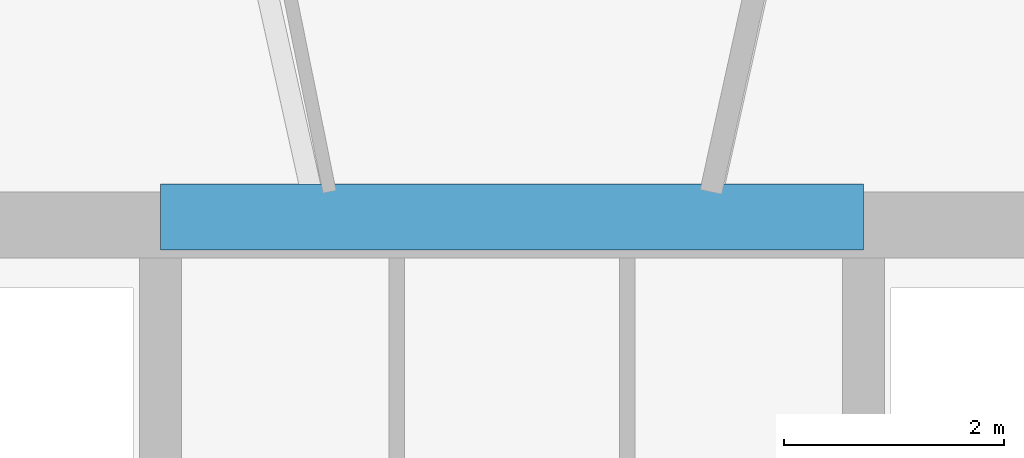
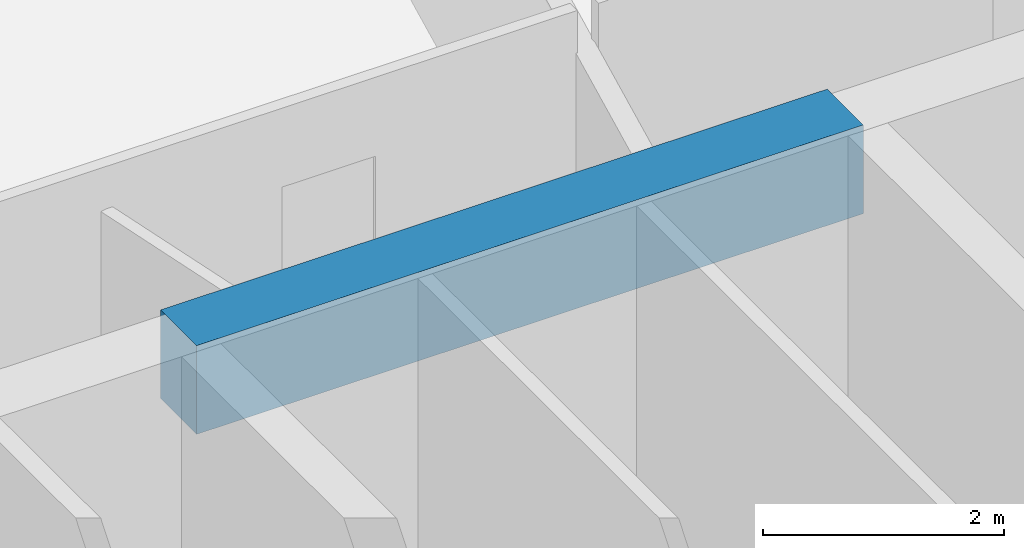
# One storey, part 9 of 26: 1 beam.
"""IFC4 building model written with IfcOpenShell, lengths in metres."""

from ifc_helpers import new_model, si_unit, direction, frame, origin, origin_2d, place, context, subcontext, project, spatial, rectangle, extrude, material, material_profile, profile_set, type_object, element, save


model = new_model("IFC4")

# Units and contexts
model_context = context("Model", 3, precision=1e-05, world=origin(), true_north=direction((-0.2419218956, 0.970295726276)))
body_context = subcontext(model_context, "Body", "Model", "MODEL_VIEW")
ifc_project = project(units=[si_unit("LENGTHUNIT", "METRE"), si_unit("AREAUNIT", "SQUARE_METRE"), si_unit("VOLUMEUNIT", "CUBIC_METRE"), si_unit("PLANEANGLEUNIT", "RADIAN"), si_unit("MASSUNIT", "GRAM", prefix="KILO")], contexts=[model_context])

# Site, building, storey
site_placement = place(None, origin())
site = spatial("IfcSite", under=ifc_project, at=site_placement, CompositionType="ELEMENT")
building_placement = place(site_placement, origin())
building = spatial("IfcBuilding", under=site, at=building_placement, Name="Cobrevalo Terracotta Tower", CompositionType="ELEMENT")
storey_placement = place(building_placement, frame((0.0, 0.0, 220.800048828125)))
storey = spatial("IfcBuildingStorey", under=building, at=storey_placement, Name="L58", CompositionType="ELEMENT", Elevation=220.800048828125)

# Beam
ifc_material = material(Name="Concrete C60", Category="concrete")
ifc_material_profile = material_profile(ifc_material, rectangle(XDim=0.60009765625, YDim=0.89990234375, at=origin_2d()), Name="RC CB 600x900")
ifc_profile_set = profile_set([ifc_material_profile], Name="Concrete C60")
beam_type = type_object("IfcBeamType", Name="Structural Beam RC CB 600x900 (Concrete C60)", PredefinedType="BEAM", material=ifc_profile_set)
beam_placement = place(storey_placement, frame((34.800048828125, 34.800048828125, 2.98486328125), z_axis=(1.0, 0.0, 0.0), x_axis=(0.0, 1.0, 0.0)))
element("IfcBeam", 1, at=beam_placement, inside=storey, type_object=beam_type, Name="L58 core coupling beam 2", PredefinedType="BEAM", context=body_context, shape_type="SweptSolid", body=[
    extrude(rectangle(XDim=0.60009765625, YDim=0.89990234375, at=origin_2d()), origin(), (0.0, 0.0, 1.0), 6.39990234375),
])

save(model, "model.ifc")
